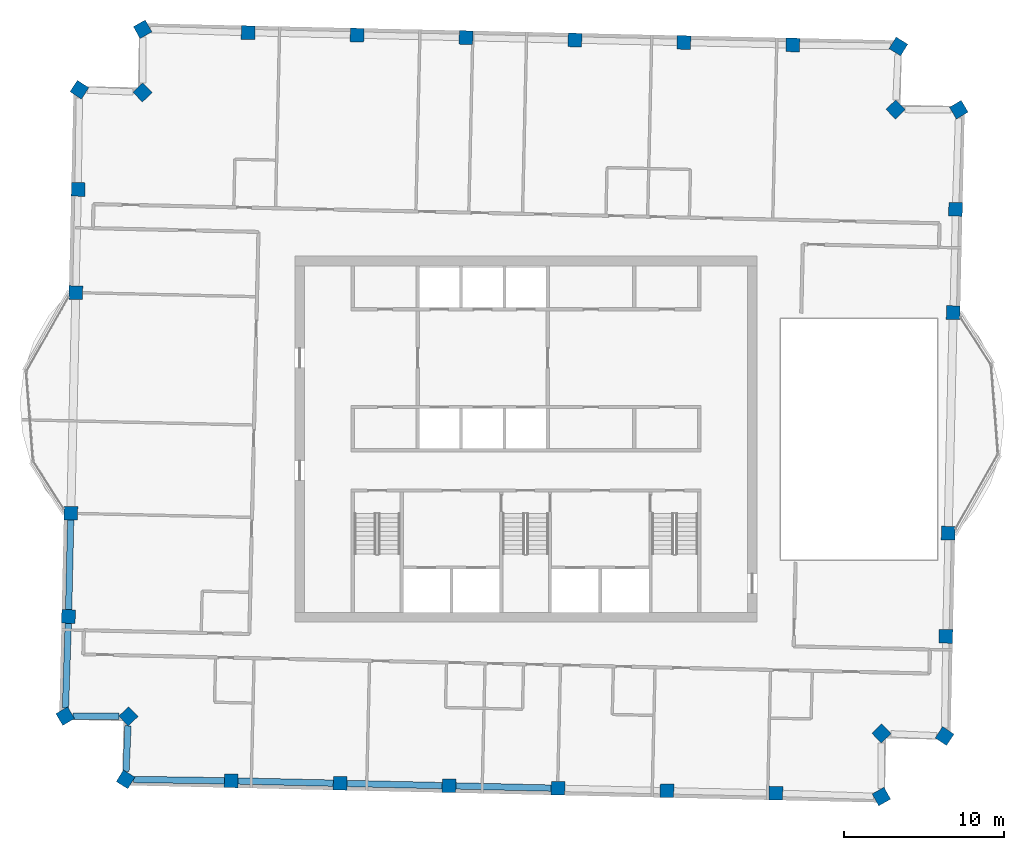
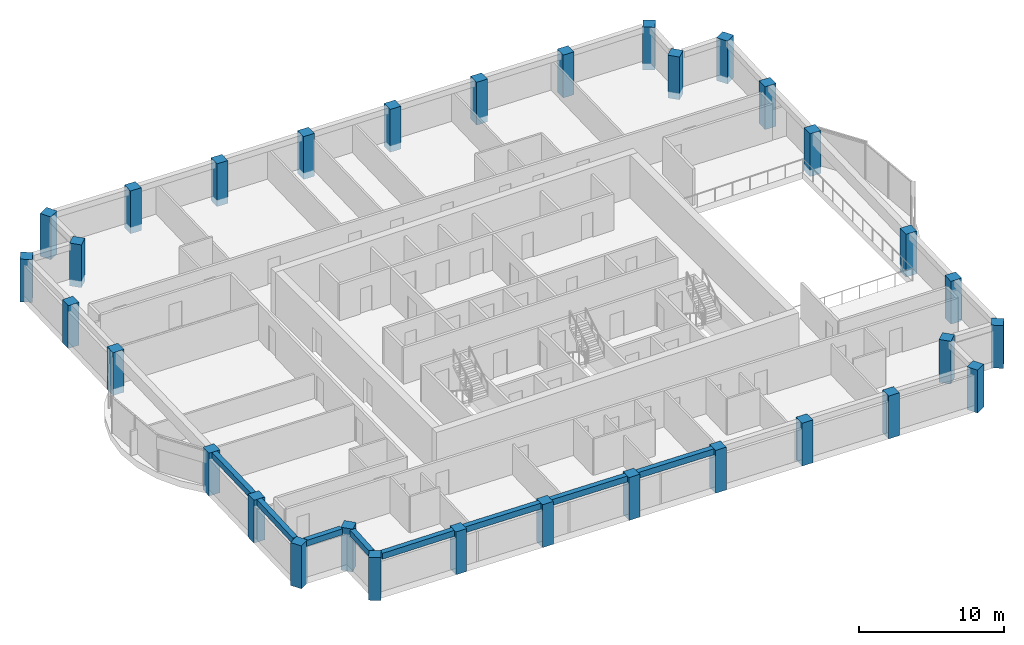
# One storey, part 1 of 11: 32 columns, 8 beams.
"""IFC4 building model written with IfcOpenShell, lengths in metres."""

import ifcopenshell
import ifcopenshell.guid

model = None  # the IFC model being written
_history = None  # IfcOwnerHistory: only IFC2X3 demands one
_inside = {}  # id of a spatial element -> (the spatial element, [elements in it])
_under = {}  # id of a project, library or spatial element -> (it, [spatial elements below it])
_declared = {}  # id of a project -> (the project, [libraries it declares])
_typed = {}  # id of a type object -> (the type object, [elements of that type])
_made_of = {}  # id of a material, layer set ... -> (it, [elements and type objects made of it])


def new_model(schema):
    """Start an empty IFC model of exactly this schema.

    Asked for "IFC4X3", IfcOpenShell would pick the latest addendum, in which some entities
    have other attributes; the version numbers below select the first issue.
    IFC2X3 requires an IfcOwnerHistory on every rooted entity: one is made here for all.
    """
    global model, _history
    if schema == "IFC4X3":
        model = ifcopenshell.file(schema_version=(4, 3, 0, 0))
    else:
        model = ifcopenshell.file(schema=schema)
    _inside.clear()
    _under.clear()
    _declared.clear()
    _typed.clear()
    _made_of.clear()
    _history = None
    if model.schema == "IFC2X3":
        org = make("IfcOrganization", Name="unknown")
        user = make(
            "IfcPersonAndOrganization",
            ThePerson=make("IfcPerson", FamilyName="unknown"),
            TheOrganization=org,
        )
        app = make(
            "IfcApplication",
            ApplicationDeveloper=org,
            Version="unknown",
            ApplicationFullName="unknown",
            ApplicationIdentifier="unknown",
        )
        _history = make(
            "IfcOwnerHistory",
            OwningUser=user,
            OwningApplication=app,
            ChangeAction="ADDED",
            CreationDate=0,
        )
    return model


def make(cls, **values):
    """One entity of the class cls with the attributes given. An attribute that is None is left unset."""
    return model.create_entity(
        cls, **{name: value for name, value in values.items() if value is not None}
    )


def rooted(cls, **values):
    """An entity with a GlobalId (a new one), such as an element, a storey or a relation."""
    return make(cls, GlobalId=ifcopenshell.guid.new(), OwnerHistory=_history, **values)


def si_unit(unit_type, name, prefix=None):
    """IfcSIUnit, for example si_unit("LENGTHUNIT", "METRE", prefix="MILLI")."""
    return make("IfcSIUnit", UnitType=unit_type, Prefix=prefix, Name=name)


def assignment(units):
    """IfcUnitAssignment: the units of a project."""
    return None if units is None else make("IfcUnitAssignment", Units=units)


def point(xyz):
    """IfcCartesianPoint."""
    return None if xyz is None else make("IfcCartesianPoint", Coordinates=xyz)


def direction(xyz):
    """IfcDirection."""
    return None if xyz is None else make("IfcDirection", DirectionRatios=xyz)


def frame(location, z_axis=None, x_axis=None):
    """IfcAxis2Placement3D, a coordinate frame: its origin and axes. An axis left out is left unset."""
    return make(
        "IfcAxis2Placement3D",
        Location=point(location),
        Axis=direction(z_axis),
        RefDirection=direction(x_axis),
    )


def frame_2d(location, x_axis=None):
    """IfcAxis2Placement2D, a coordinate frame in the plane: its origin and x axis."""
    return make(
        "IfcAxis2Placement2D", Location=point(location), RefDirection=direction(x_axis)
    )


def origin():
    """The frame at (0, 0, 0) with its axes left unset."""
    return frame((0.0, 0.0, 0.0))


def origin_2d():
    """The frame at (0, 0) in the plane with its x axis left unset."""
    return frame_2d((0.0, 0.0))


def place(relative_to, where):
    """IfcLocalPlacement: puts the frame where relative to a parent placement (None: the world)."""
    return make(
        "IfcLocalPlacement", PlacementRelTo=relative_to, RelativePlacement=where
    )


def context(
    kind, dimensions, precision=None, world=None, true_north=None, identifier=None
):
    """IfcGeometricRepresentationContext, for example the 3D "Model" context."""
    return make(
        "IfcGeometricRepresentationContext",
        ContextIdentifier=identifier,
        ContextType=kind,
        CoordinateSpaceDimension=dimensions,
        Precision=precision,
        WorldCoordinateSystem=world,
        TrueNorth=true_north,
    )


def subcontext(parent, identifier, kind, view, scale=None):
    """IfcGeometricRepresentationSubContext, for example "Body" below "Model"."""
    return make(
        "IfcGeometricRepresentationSubContext",
        ContextIdentifier=identifier,
        ContextType=kind,
        ParentContext=parent,
        TargetScale=scale,
        TargetView=view,
    )


def project(units=None, contexts=None):
    """IfcProject with its units and contexts."""
    return rooted(
        "IfcProject",
        Name="project",
        RepresentationContexts=contexts,
        UnitsInContext=assignment(units),
    )


def spatial(cls, under=None, at=None, **own):
    """A site, building, storey or space (cls), placed at a placement, below another one or the project."""
    s = rooted(cls, ObjectPlacement=at, **own)
    if under is not None:
        _under.setdefault(under.id(), (under, []))[1].append(s)
    return s


def profile(cls, at=None, kind="AREA", **sizes):
    """A parametric profile (cls). Its sizes go by their IFC names, for example OverallWidth=200.0."""
    return make(cls, ProfileType=kind, Position=at, **sizes)


def rectangle(**sizes):
    """IfcRectangleProfileDef."""
    return profile("IfcRectangleProfileDef", **sizes)


def extrude(swept, where, along, depth):
    """IfcExtrudedAreaSolid: the profile swept, set in the frame where, extruded along a direction by depth."""
    return make(
        "IfcExtrudedAreaSolid",
        SweptArea=swept,
        Position=where,
        ExtrudedDirection=direction(along),
        Depth=depth,
    )


def shape(context_of_items, identifier, shape_type, items):
    """IfcShapeRepresentation: the items that make up one representation, for example the "Body"."""
    return make(
        "IfcShapeRepresentation",
        ContextOfItems=context_of_items,
        RepresentationIdentifier=identifier,
        RepresentationType=shape_type,
        Items=items,
    )


def material(Name=None, Category=None):
    """IfcMaterial."""
    return make("IfcMaterial", Name=Name, Category=Category)


def material_profile(
    of_material, cross_section, Name=None, Category=None, Priority=None
):
    """IfcMaterialProfile: a cross section and its material."""
    return make(
        "IfcMaterialProfile",
        Name=Name,
        Material=of_material,
        Profile=cross_section,
        Priority=Priority,
        Category=Category,
    )


def profile_set(profiles, Name=None, composite=None):
    """IfcMaterialProfileSet."""
    return make(
        "IfcMaterialProfileSet",
        Name=Name,
        MaterialProfiles=profiles,
        CompositeProfile=composite,
    )


def made_of(thing, what):
    """Note that an element or type object is made of a material, layer set ...; save() writes the relation."""
    if what is not None:
        _made_of.setdefault(what.id(), (what, []))[1].append(thing)
    return thing


def type_object(cls, material=None, **own):
    """A type object (cls), such as IfcWallType, which elements share."""
    return made_of(rooted(cls, **own), material)


def element(
    cls,
    number,
    at=None,
    inside=None,
    cuts=None,
    type_object=None,
    material=None,
    context=None,
    identifier="Body",
    shape_type=None,
    held_by="IfcProductDefinitionShape",
    body=None,
    shapes=None,
    **own,
):
    """One element of the class cls, such as IfcWall. Its Tag is "e" and its number.

    at: its placement. inside: the storey or other place that contains it. cuts: it is an
    opening in that element (IfcRelVoidsElement). A single representation is given by context,
    identifier, shape_type and body (its items); several are given by shapes. held_by: the class
    of the entity that holds the representations. save() writes the other relations.
    """
    e = rooted(cls, Tag="e%d" % number, ObjectPlacement=at, **own)
    if body is not None:
        shapes = [shape(context, identifier, shape_type, body)]
    if shapes is not None:
        e.Representation = make(held_by, Representations=shapes)
    if inside is not None:
        _inside.setdefault(inside.id(), (inside, []))[1].append(e)
    if cuts is not None:
        rooted(
            "IfcRelVoidsElement", RelatingBuildingElement=cuts, RelatedOpeningElement=e
        )
    if type_object is not None:
        _typed.setdefault(type_object.id(), (type_object, []))[1].append(e)
    return made_of(e, material)


def aggregate(whole, parts):
    """IfcRelAggregates: a whole, such as a stair, and the parts it consists of."""
    return rooted("IfcRelAggregates", RelatingObject=whole, RelatedObjects=parts)


def save(model, path):
    """Write the relations noted so far, then the file.

    IfcRelAggregates (storeys below a building ...), IfcRelContainedInSpatialStructure (elements
    in a storey), IfcRelDefinesByType, IfcRelAssociatesMaterial and IfcRelDeclares: one each for
    every whole, place, type object, material and project.
    """
    for whole, parts in _under.values():
        aggregate(whole, parts)
    for where, things in _inside.values():
        rooted(
            "IfcRelContainedInSpatialStructure",
            RelatedElements=things,
            RelatingStructure=where,
        )
    for kind, things in _typed.values():
        rooted("IfcRelDefinesByType", RelatedObjects=things, RelatingType=kind)
    for what, things in _made_of.values():
        rooted("IfcRelAssociatesMaterial", RelatedObjects=things, RelatingMaterial=what)
    for by, libraries in _declared.values():
        rooted("IfcRelDeclares", RelatingContext=by, RelatedDefinitions=libraries)
    model.write(path)


model = new_model("IFC4")

# Units and contexts
model_context = context("Model", 3, precision=1e-05, world=origin(), true_north=direction((0.0, 1.0)))
body_context = subcontext(model_context, "Body", "Model", "MODEL_VIEW")
ifc_project = project(units=[si_unit("LENGTHUNIT", "METRE"), si_unit("AREAUNIT", "SQUARE_METRE"), si_unit("VOLUMEUNIT", "CUBIC_METRE"), si_unit("PLANEANGLEUNIT", "RADIAN"), si_unit("MASSUNIT", "GRAM", prefix="KILO")], contexts=[model_context])

# Site, building, storey
site_placement = place(None, origin())
site = spatial("IfcSite", under=ifc_project, at=site_placement, CompositionType="ELEMENT")
building_placement = place(site_placement, origin())
building = spatial("IfcBuilding", under=site, at=building_placement, Name="Mangrove Gate Tower", CompositionType="ELEMENT")
storey_placement = place(building_placement, frame((0.0, 0.0, 334.300048828125)))
storey = spatial("IfcBuildingStorey", under=building, at=storey_placement, Name="L85", CompositionType="ELEMENT", Elevation=334.300048828125)

# Columns
ifc_material_1 = material(Name="Concrete C50/60", Category="concrete")
ifc_material_profile_1 = material_profile(ifc_material_1, rectangle(XDim=0.85009765625, YDim=0.85009765625, at=origin_2d()))
ifc_profile_set_1 = profile_set([ifc_material_profile_1], Name="Concrete C50/60")
column_type = type_object("IfcColumnType", Name="Column RC 850x850 C50/60", PredefinedType="COLUMN", material=ifc_profile_set_1)
for number, where, z_axis, x_axis, name in (
    (1, (-28.3740234375, -4.61962890625, -0.550048828125), (0.0, 0.0, 1.0), (-0.022686530928, -0.999742627537, 0.0), "Column L85 W05"),
    (2, (-28.52001953125, -11.0556640625, -0.550048828125), (0.0, 0.0, 1.0), (-0.02268082517, -0.999742756998, 0.0), "Column L85 W06"),
    (3, (-28.72509765625, -17.264892578125, -0.550048828125), (0.0, 0.0, 1.0), (0.508409194984, -0.861115608066, 0.0), "Column L85 W07"),
    (4, (-24.78466796875, -17.2783203125, -0.550048828125), (0.0, 0.0, 1.0), (0.690837236726, -0.723010312757, 0.0), "Column L85 W08"),
    (5, (-24.958984375, -21.209716796875, -0.550048828125), (0.0, 0.0, 1.0), (0.849959503185, -0.526848026423, 0.0), "Column L85 S01"),
    (6, (-18.38232421875, -21.300048828125, -0.550048828125), (0.0, 0.0, 1.0), (0.999742974276, -0.022671245776, 0.0), "Column L85 S02"),
    (7, (-11.59130859375, -21.4541015625, -0.550048828125), (0.0, 0.0, 1.0), (0.999742974276, -0.022671245776, 0.0), "Column L85 S03"),
    (8, (-4.80029296875, -21.608154296875, -0.550048828125), (0.0, 0.0, 1.0), (0.999743012261, -0.022669570691, 0.0), "Column L85 S04"),
    (9, (1.99169921875, -21.76220703125, -0.550048828125), (0.0, 0.0, 1.0), (0.999741341458, -0.0227431348, 0.0), "Column L85 S05"),
    (10, (8.78271484375, -21.9169921875, -0.550048828125), (0.0, 0.0, 1.0), (0.99974130335, -0.022744809883, 0.0), "Column L85 S06"),
    (11, (15.57373046875, -22.071044921875, -0.550048828125), (0.0, 0.0, 1.0), (0.999742974276, -0.022671245776, 0.0), "Column L85 S07"),
    (12, (22.147705078125, -22.279052734375, -0.550048828125), (0.0, 0.0, 1.0), (0.872987965014, 0.487741748204, 0.0), "Column L85 E01"),
    (13, (22.15234375, -18.34375, -0.550048828125), (0.0, 0.0, 1.0), (0.723010312757, 0.690837236726, 0.0), "Column L85 E02"),
    (14, (26.089111328125, -18.509521484375, -0.550048828125), (0.0, 0.0, 1.0), (0.546911589333, 0.837190368705, 0.0), "Column L85 E03"),
    (15, (26.166015625, -12.29638671875, -0.550048828125), (0.0, 0.0, 1.0), (0.022679062841, 0.999742796978, 0.0), "Column L85 E04"),
    (16, (26.31201171875, -5.8603515625, -0.550048828125), (0.0, 0.0, 1.0), (0.022686530928, 0.999742627537, 0.0), "Column L85 E05"),
    (17, (26.6240234375, 7.88671875, -0.550048828125), (0.0, 0.0, 1.0), (0.022686530928, 0.999742627537, 0.0), "Column L85 E06"),
    (18, (26.77001953125, 14.32275390625, -0.550048828125), (0.0, 0.0, 1.0), (0.02268082517, 0.999742756998, 0.0), "Column L85 E07"),
    (19, (26.97509765625, 20.531982421875, -0.550048828125), (0.0, 0.0, 1.0), (-0.508409194984, 0.861115608066, 0.0), "Column L85 E08"),
    (20, (23.03466796875, 20.54541015625, -0.550048828125), (0.0, 0.0, 1.0), (-0.690837236726, 0.723010312757, 0.0), "Column L85 E09"),
    (21, (23.209228515625, 24.476806640625, -0.550048828125), (0.0, 0.0, 1.0), (-0.849994709833, 0.526791223594, 0.0), "Column L85 E10"),
    (22, (16.63134765625, 24.567138671875, -0.550048828125), (0.0, 0.0, 1.0), (-0.999743012261, 0.022669570691, 0.0), "Column L85 N01"),
    (23, (9.84033203125, 24.72119140625, -0.550048828125), (0.0, 0.0, 1.0), (-0.999742974276, 0.022671245776, 0.0), "Column L85 N02"),
    (24, (3.04931640625, 24.875, -0.550048828125), (0.0, 0.0, 1.0), (-0.999742974276, 0.022671245776, 0.0), "Column L85 N03"),
    (25, (-3.74169921875, 25.029052734375, -0.550048828125), (0.0, 0.0, 1.0), (-0.99974130335, 0.022744809883, 0.0), "Column L85 N04"),
    (26, (-10.53271484375, 25.18408203125, -0.550048828125), (0.0, 0.0, 1.0), (-0.99974130335, 0.022744809883, 0.0), "Column L85 N05"),
    (27, (-17.32373046875, 25.338134765625, -0.550048828125), (0.0, 0.0, 1.0), (-0.999742974276, 0.022671245776, 0.0), "Column L85 N06"),
    (28, (-23.897705078125, 25.5458984375, -0.550048828125), (0.0, 0.0, 1.0), (-0.872987965014, -0.487741748204, 0.0), "Column L85 N07"),
    (29, (-23.90234375, 21.61083984375, -0.550048828125), (0.0, 0.0, 1.0), (-0.723010312757, -0.690837236726, 0.0), "Column L85 W01"),
    (30, (-27.839111328125, 21.776611328125, -0.550048828125), (0.0, 0.0, 1.0), (-0.546911589333, -0.837190368705, 0.0), "Column L85 W02"),
    (31, (-27.916015625, 15.5634765625, -0.550048828125), (0.0, 0.0, 1.0), (-0.022679062841, -0.999742796978, 0.0), "Column L85 W03"),
    (32, (-28.06201171875, 9.12744140625, -0.550048828125), (0.0, 0.0, 1.0), (-0.022686530928, -0.999742627537, 0.0), "Column L85 W04"),
):
    element("IfcColumn", number, at=place(storey_placement, frame(where, z_axis=z_axis, x_axis=x_axis)), inside=storey, type_object=column_type, Name=name, PredefinedType="COLUMN", context=body_context, shape_type="SweptSolid", body=[
        extrude(rectangle(XDim=0.85009765625, YDim=0.85009765625, at=origin_2d()), origin(), (0.0, 0.0, 1.0), 3.60009765625),
    ])

# Beams
ifc_material_2 = material(Name="Concrete C50/60", Category="concrete")
ifc_material_profile_2 = material_profile(ifc_material_2, rectangle(XDim=0.39990234375, YDim=0.5, at=origin_2d()))
ifc_profile_set_2 = profile_set([ifc_material_profile_2], Name="Concrete C50/60")
beam_type = type_object("IfcBeamType", Name="Edge beam RC 400x500 C50/60", PredefinedType="BEAM", material=ifc_profile_set_2)
beam_1_placement = place(storey_placement, frame((-28.3837890625, -5.04443359375, 2.800048828125), z_axis=(-0.022675751709, -0.999742872085, 0.0), x_axis=(0.999742872085, -0.022675751709, 0.0)))
element("IfcBeam", 33, at=beam_1_placement, inside=storey, type_object=beam_type, Name="Edge beam L85 00", PredefinedType="BEAM", context=body_context, shape_type="SweptSolid", body=[
    extrude(rectangle(XDim=0.39990234375, YDim=0.5, at=origin_2d()), origin(), (0.0, 0.0, 1.0), 5.587890625),
])
beam_2_placement = place(storey_placement, frame((-28.5341796875, -11.48046875, 2.800048828125), z_axis=(-0.032990215512, -0.999455674695, 0.0), x_axis=(0.999455674695, -0.032990215512, 0.0)))
element("IfcBeam", 34, at=beam_2_placement, inside=storey, type_object=beam_type, Name="Edge beam L85 01", PredefinedType="BEAM", context=body_context, shape_type="SweptSolid", body=[
    extrude(rectangle(XDim=0.39990234375, YDim=0.5, at=origin_2d()), origin(), (0.0, 0.0, 1.0), 5.283935546875),
])
beam_3_placement = place(storey_placement, frame((-28.23046875, -17.2666015625, 2.800048828125), z_axis=(0.999994153944, -0.00341936794, 0.0), x_axis=(0.00341936794, 0.999994153944, 0.0)))
element("IfcBeam", 35, at=beam_3_placement, inside=storey, type_object=beam_type, Name="Edge beam L85 02", PredefinedType="BEAM", context=body_context, shape_type="SweptSolid", body=[
    extrude(rectangle(XDim=0.39990234375, YDim=0.5, at=origin_2d()), origin(), (0.0, 0.0, 1.0), 2.85595703125),
])
beam_4_placement = place(storey_placement, frame((-24.810791015625, -17.8662109375, 2.800048828125), z_axis=(-0.044307836556, -0.999017925575, 0.0), x_axis=(0.999017925575, -0.044307836556, 0.0)))
element("IfcBeam", 36, at=beam_4_placement, inside=storey, type_object=beam_type, Name="Edge beam L85 03", PredefinedType="BEAM", context=body_context, shape_type="SweptSolid", body=[
    extrude(rectangle(XDim=0.39990234375, YDim=0.5, at=origin_2d()), origin(), (0.0, 0.0, 1.0), 2.85986328125),
])
beam_5_placement = place(storey_placement, frame((-24.46337890625, -21.216552734375, 2.800048828125), z_axis=(0.999905805991, -0.013725128256, 0.0), x_axis=(0.013725128256, 0.999905805991, 0.0)))
element("IfcBeam", 37, at=beam_5_placement, inside=storey, type_object=beam_type, Name="Edge beam L85 04", PredefinedType="BEAM", context=body_context, shape_type="SweptSolid", body=[
    extrude(rectangle(XDim=0.39990234375, YDim=0.5, at=origin_2d()), origin(), (0.0, 0.0, 1.0), 5.656494140625),
])
for number, where, z_axis, x_axis, name in (
    (38, (-17.95751953125, -21.309814453125, 2.800048828125), (0.999742831422, -0.022677544399, 0.0), (0.022677544399, 0.999742831422, 0.0), "Edge beam L85 05"),
    (39, (-11.16650390625, -21.463623046875, 2.800048828125), (0.999742831422, -0.022677544399, 0.0), (0.022677544399, 0.999742831422, 0.0), "Edge beam L85 06"),
):
    element("IfcBeam", number, at=place(storey_placement, frame(where, z_axis=z_axis, x_axis=x_axis)), inside=storey, type_object=beam_type, Name=name, PredefinedType="BEAM", context=body_context, shape_type="SweptSolid", body=[
        extrude(rectangle(XDim=0.39990234375, YDim=0.5, at=origin_2d()), origin(), (0.0, 0.0, 1.0), 5.942626953125),
    ])
beam_6_placement = place(storey_placement, frame((-4.37548828125, -21.61767578125, 2.800048828125), z_axis=(0.999742937027, -0.022672888301, 0.0), x_axis=(0.022672888301, 0.999742937027, 0.0)))
element("IfcBeam", 40, at=beam_6_placement, inside=storey, type_object=beam_type, Name="Edge beam L85 07", PredefinedType="BEAM", context=body_context, shape_type="SweptSolid", body=[
    extrude(rectangle(XDim=0.39990234375, YDim=0.5, at=origin_2d()), origin(), (0.0, 0.0, 1.0), 5.94384765625),
])

save(model, "model.ifc")
